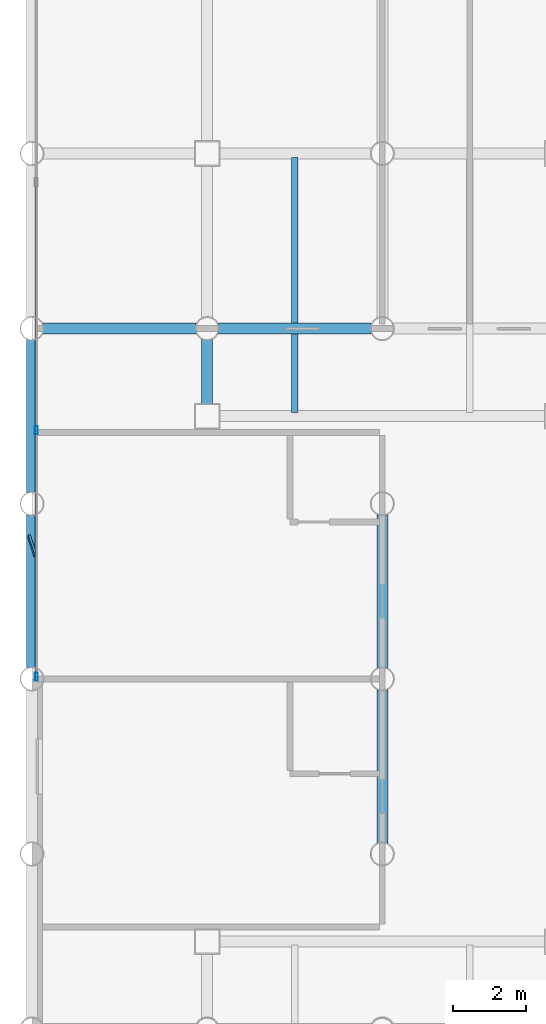
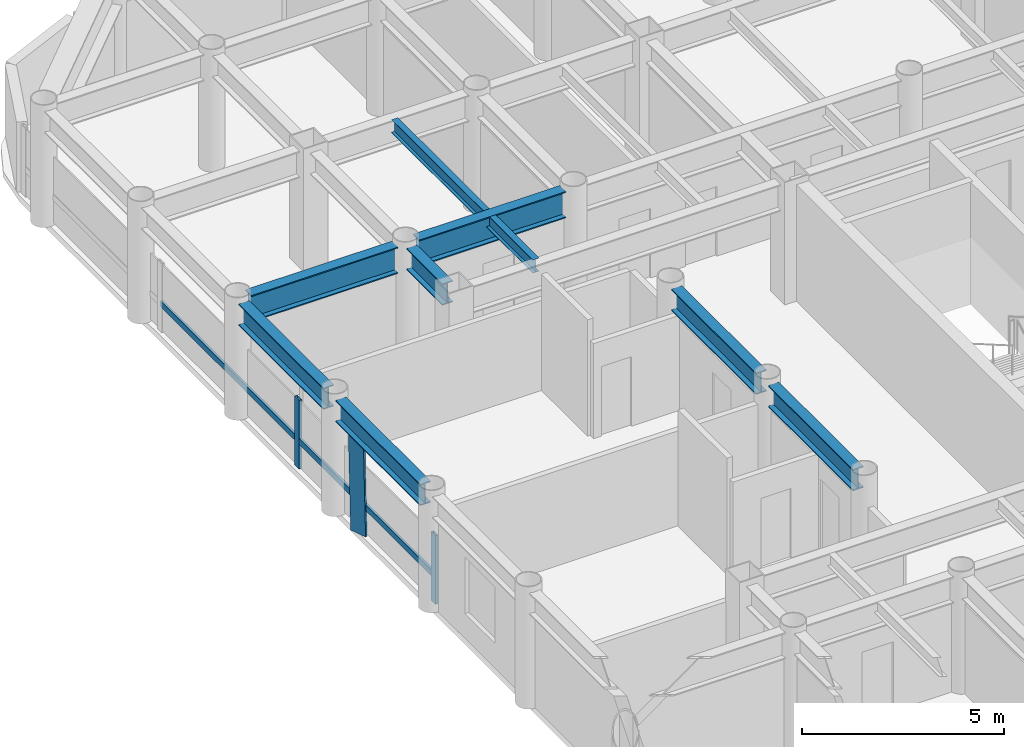
# One storey, part 4 of 22: 8 beams, 5 members, 1 element without a shape of its own.
"""IFC4 building model written with IfcOpenShell, lengths in metres."""

from ifc_helpers import new_model, si_unit, direction, frame, origin, origin_2d, place, context, subcontext, project, spatial, rectangle, hollow_rectangle, i_section, extrude, material, layer, layer_set, material_profile, profile_set, type_object, element, aggregate, save


model = new_model("IFC4")

# Units and contexts
model_context = context("Model", 3, precision=1e-05, world=origin(), true_north=direction((0.0, 1.0)))
body_context = subcontext(model_context, "Body", "Model", "MODEL_VIEW")
ifc_project = project(units=[si_unit("LENGTHUNIT", "METRE"), si_unit("AREAUNIT", "SQUARE_METRE"), si_unit("VOLUMEUNIT", "CUBIC_METRE"), si_unit("PLANEANGLEUNIT", "RADIAN"), si_unit("MASSUNIT", "GRAM", prefix="KILO")], contexts=[model_context])

# Site, building, storey
site_placement = place(None, origin())
site = spatial("IfcSite", under=ifc_project, at=site_placement, CompositionType="ELEMENT")
building_placement = place(site_placement, origin())
building = spatial("IfcBuilding", under=site, at=building_placement, Name="Kallvorn Hotel Tower", CompositionType="ELEMENT")
storey_placement = place(building_placement, frame((0.0, 0.0, 102.60009765625)))
storey = spatial("IfcBuildingStorey", under=building, at=storey_placement, Name="L24", CompositionType="ELEMENT", Elevation=102.60009765625)

# Beams
ifc_material_1 = material(Name="Structural steel S355JR", Category="steel")
ifc_material_profile_1 = material_profile(ifc_material_1, i_section(OverallWidth=0.300048828125, OverallDepth=0.64990234375, WebThickness=0.01611328125, FlangeThickness=0.031005859375, at=origin_2d()), Name="HE 650 B")
ifc_profile_set_1 = profile_set([ifc_material_profile_1], Name="Structural steel S355JR")
beam_type_1 = type_object("IfcBeamType", Name="BM_HE650B", PredefinedType="BEAM", material=ifc_profile_set_1)
beam_1_placement = place(storey_placement, frame((-28.800048828125, 0.304931640625, 3.19482421875), z_axis=(0.0, 1.0, 0.0), x_axis=(-1.0, 0.0, 0.0)))
element("IfcBeam", 1, at=beam_1_placement, inside=storey, type_object=beam_type_1, Name="L25 Primary Y-Girder 77", PredefinedType="BEAM", context=body_context, shape_type="SweptSolid", body=[
    extrude(i_section(OverallWidth=0.300048828125, OverallDepth=0.64990234375, WebThickness=0.01611328125, FlangeThickness=0.031005859375, at=origin_2d()), origin(), (0.0, 0.0, 1.0), 4.190185546875),
])
beam_2_placement = place(storey_placement, frame((-28.800048828125, 5.10498046875, 3.19482421875), z_axis=(0.0, 1.0, 0.0), x_axis=(-1.0, 0.0, 0.0)))
element("IfcBeam", 2, at=beam_2_placement, inside=storey, type_object=beam_type_1, Name="L25 Primary Y-Girder 78", PredefinedType="BEAM", context=body_context, shape_type="SweptSolid", body=[
    extrude(i_section(OverallWidth=0.300048828125, OverallDepth=0.64990234375, WebThickness=0.01611328125, FlangeThickness=0.031005859375, at=origin_2d()), origin(), (0.0, 0.0, 1.0), 4.18994140625),
])
beam_3_placement = place(storey_placement, frame((-24.0, 7.52490234375, 3.19482421875), z_axis=(0.0, 1.0, 0.0), x_axis=(-1.0, 0.0, 0.0)))
element("IfcBeam", 3, at=beam_3_placement, inside=storey, type_object=beam_type_1, Name="L25 Primary Y-Girder 84", PredefinedType="BEAM", context=body_context, shape_type="SweptSolid", body=[
    extrude(i_section(OverallWidth=0.300048828125, OverallDepth=0.64990234375, WebThickness=0.01611328125, FlangeThickness=0.031005859375, at=origin_2d()), origin(), (0.0, 0.0, 1.0), 1.77001953125),
])
for number, where, z_axis, x_axis, name in (
    (4, (-19.199951171875, -4.4951171875, 3.19482421875), (0.0, 1.0, 0.0), (-1.0, 0.0, 0.0), "L25 Primary Y-Girder 91"),
    (5, (-19.199951171875, 0.304931640625, 3.19482421875), (0.0, 1.0, 0.0), (-1.0, 0.0, 0.0), "L25 Primary Y-Girder 92"),
):
    element("IfcBeam", number, at=place(storey_placement, frame(where, z_axis=z_axis, x_axis=x_axis)), inside=storey, type_object=beam_type_1, Name=name, PredefinedType="BEAM", context=body_context, shape_type="SweptSolid", body=[
        extrude(i_section(OverallWidth=0.300048828125, OverallDepth=0.64990234375, WebThickness=0.01611328125, FlangeThickness=0.031005859375, at=origin_2d()), origin(), (0.0, 0.0, 1.0), 4.190185546875),
    ])
ifc_material_2 = material(Name="Structural steel S355JR", Category="steel")
ifc_material_profile_2 = material_profile(ifc_material_2, i_section(OverallWidth=0.300048828125, OverallDepth=0.800048828125, WebThickness=0.017578125, FlangeThickness=0.032958984375, at=origin_2d()), Name="HE 800 B")
ifc_profile_set_2 = profile_set([ifc_material_profile_2], Name="Structural steel S355JR")
beam_type_2 = type_object("IfcBeamType", Name="BM_HE800B", PredefinedType="BEAM", material=ifc_profile_set_2)
for number, where, z_axis, x_axis, name in (
    (6, (-28.4951171875, 9.60009765625, 3.119873046875), (1.0, 0.0, 0.0), (0.0, 1.0, 0.0), "L25 Primary X-Girder 41"),
    (7, (-23.695068359375, 9.60009765625, 3.119873046875), (1.0, 0.0, 0.0), (0.0, 1.0, 0.0), "L25 Primary X-Girder 42"),
):
    element("IfcBeam", number, at=place(storey_placement, frame(where, z_axis=z_axis, x_axis=x_axis)), inside=storey, type_object=beam_type_2, Name=name, PredefinedType="BEAM", context=body_context, shape_type="SweptSolid", body=[
        extrude(i_section(OverallWidth=0.300048828125, OverallDepth=0.800048828125, WebThickness=0.017578125, FlangeThickness=0.032958984375, at=origin_2d()), origin(), (0.0, 0.0, 1.0), 4.190185546875),
    ])
ifc_material_3 = material(Name="Structural steel S355JR", Category="steel")
ifc_material_profile_3 = material_profile(ifc_material_3, i_section(OverallWidth=0.179931640625, OverallDepth=0.39990234375, WebThickness=0.008544921875, FlangeThickness=0.013427734375, at=origin_2d()), Name="IPE 400")
ifc_profile_set_3 = profile_set([ifc_material_profile_3], Name="Structural steel S355JR")
beam_type_3 = type_object("IfcBeamType", Name="BM_IPE400", PredefinedType="JOIST", material=ifc_profile_set_3)
beam_4_placement = place(storey_placement, frame((-21.60009765625, 7.300048828125, 3.31982421875), z_axis=(0.0, 1.0, 0.0), x_axis=(-1.0, 0.0, 0.0)))
element("IfcBeam", 8, at=beam_4_placement, inside=storey, type_object=beam_type_3, Name="L25 Secondary Composite Joist 193", PredefinedType="JOIST", context=body_context, shape_type="SweptSolid", body=[
    extrude(i_section(OverallWidth=0.179931640625, OverallDepth=0.39990234375, WebThickness=0.008544921875, FlangeThickness=0.013427734375, at=origin_2d()), origin(), (0.0, 0.0, 1.0), 7.0),
])

# Curtain wall, members
ifc_material_4 = material(Name="Thermally broken black-anodised aluminium AA 6063-T6", Category="aluminium")
ifc_layer = layer(ifc_material_4, 0.199951171875)
ifc_layer_set = layer_set([ifc_layer], Name="CW_SYS_3_HOTEL_LOW")
curtain_wall_type = type_object("IfcCurtainWallType", Name="CW_SYS_3_HOTEL_LOW", PredefinedType="USERDEFINED", material=ifc_layer_set)
curtain_wall_placement = place(storey_placement, origin())
curtain_wall = element("IfcCurtainWall", 9, at=curtain_wall_placement, inside=storey, type_object=curtain_wall_type, Name="L24 Dark-Glass Curtain Wall CW-L24-WN", ObjectType="UNITISED CURTAIN WALL", PredefinedType="USERDEFINED")
ifc_material_5 = material(Name="Thermally broken black-anodised aluminium AA 6063-T6", Category="aluminium")
ifc_material_profile_4 = material_profile(ifc_material_5, hollow_rectangle(XDim=0.080078125, YDim=0.219970703125, WallThickness=0.0048828125, at=origin_2d()), Name="MUL 220x80")
ifc_profile_set_4 = profile_set([ifc_material_profile_4], Name="Thermally broken black-anodised aluminium AA 6063-T6")
member_type_1 = type_object("IfcMemberType", Name="CW_MULLION_220x80", PredefinedType="MULLION", material=ifc_profile_set_4)
member_1_placement = place(storey_placement, frame((-28.679931640625, 0.06005859375, 0.02001953125), z_axis=(0.0, 0.0, 1.0), x_axis=(1.0, 0.0, 0.0)))
member_1 = element("IfcMember", 10, at=member_1_placement, type_object=member_type_1, Name="CW-L24-WN Mullion 00", PredefinedType="MULLION", context=body_context, shape_type="SweptSolid", body=[
    extrude(hollow_rectangle(XDim=0.080078125, YDim=0.219970703125, WallThickness=0.0048828125, at=origin_2d()), origin(), (0.0, 0.0, 1.0), 2.079833984375),
])
member_2_placement = place(storey_placement, frame((-28.679931640625, 6.813232421875, 0.02001953125), z_axis=(0.0, 0.0, 1.0), x_axis=(1.0, 0.0, 0.0)))
member_2 = element("IfcMember", 11, at=member_2_placement, type_object=member_type_1, Name="CW-L24-WN Mullion 01", PredefinedType="MULLION", context=body_context, shape_type="SweptSolid", body=[
    extrude(hollow_rectangle(XDim=0.080078125, YDim=0.219970703125, WallThickness=0.0048828125, at=origin_2d()), origin(), (0.0, 0.0, 1.0), 2.079833984375),
])
ifc_material_6 = material(Name="Thermally broken black-anodised aluminium AA 6063-T6", Category="aluminium")
ifc_material_profile_5 = material_profile(ifc_material_6, hollow_rectangle(XDim=0.070068359375, YDim=0.179931640625, WallThickness=0.00390625, at=origin_2d()), Name="TRN 180x70")
ifc_profile_set_5 = profile_set([ifc_material_profile_5], Name="Thermally broken black-anodised aluminium AA 6063-T6")
member_type_2 = type_object("IfcMemberType", Name="CW_TRANSOM_180x70", PredefinedType="USERDEFINED", material=ifc_profile_set_5)
member_3_placement = place(storey_placement, frame((-28.679931640625, 0.06005859375, 0.849853515625), z_axis=(0.0, 1.0, 0.0), x_axis=(-1.0, 0.0, 0.0)))
member_3 = element("IfcMember", 12, at=member_3_placement, type_object=member_type_2, Name="CW-L24-WN Transom 00M", ObjectType="TRANSOM", PredefinedType="USERDEFINED", context=body_context, shape_type="SweptSolid", body=[
    extrude(hollow_rectangle(XDim=0.070068359375, YDim=0.179931640625, WallThickness=0.00390625, at=origin_2d()), origin(), (0.0, 0.0, 1.0), 6.713134765625),
])
member_4_placement = place(storey_placement, frame((-28.679931640625, 6.853271484375, 0.849853515625), z_axis=(0.0, 1.0, 0.0), x_axis=(-1.0, 0.0, 0.0)))
member_4 = element("IfcMember", 13, at=member_4_placement, type_object=member_type_2, Name="CW-L24-WN Transom 01M", ObjectType="TRANSOM", PredefinedType="USERDEFINED", context=body_context, shape_type="SweptSolid", body=[
    extrude(hollow_rectangle(XDim=0.070068359375, YDim=0.179931640625, WallThickness=0.00390625, at=origin_2d()), origin(), (0.0, 0.0, 1.0), 6.71337890625),
])
aggregate(curtain_wall, [member_1, member_2, member_3, member_4])

# Member
ifc_material_7 = material(Name="Thermally broken black-anodised aluminium AA 6063-T6", Category="aluminium")
ifc_material_profile_6 = material_profile(ifc_material_7, rectangle(XDim=0.06005859375, YDim=0.5, at=origin_2d()), Name="FIN 500x60")
ifc_profile_set_6 = profile_set([ifc_material_profile_6], Name="Thermally broken black-anodised aluminium AA 6063-T6")
member_type_3 = type_object("IfcMemberType", Name="MBR_SUNSHADE_FIN", PredefinedType="USERDEFINED", material=ifc_profile_set_6)
member_5_placement = place(storey_placement, frame((-28.800048828125, 3.60009765625, 0.0), z_axis=(0.0, 0.038932604181, 0.999241838762), x_axis=(-0.951056516295, -0.308782709668, 0.012030836327)))
element("IfcMember", 14, at=member_5_placement, inside=storey, type_object=member_type_3, Name="L24 Angled Vertical Sunshade Fin W1", ObjectType="SUNSHADE FIN", PredefinedType="USERDEFINED", context=body_context, shape_type="SweptSolid", body=[
    extrude(rectangle(XDim=0.06005859375, YDim=0.5, at=origin_2d()), origin(), (0.0, 0.0, 1.0), 2.8720703125),
])

save(model, "model.ifc")
